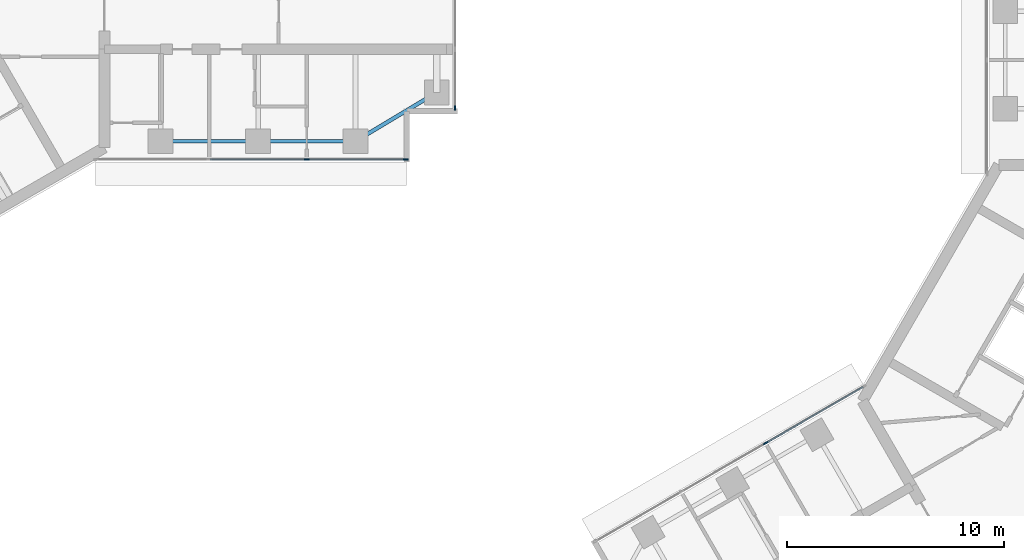
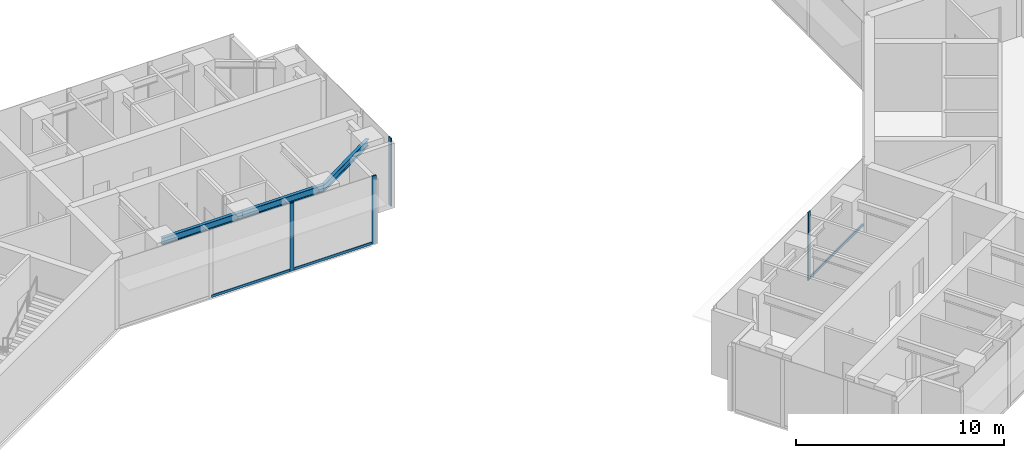
# One storey, part 4 of 17: 7 members, 3 beams, 3 elements without a shape of their own.
"""IFC4 building model written with IfcOpenShell, lengths in metres."""

import ifcopenshell
import ifcopenshell.guid

model = None  # the IFC model being written
_history = None  # IfcOwnerHistory: only IFC2X3 demands one
_inside = {}  # id of a spatial element -> (the spatial element, [elements in it])
_under = {}  # id of a project, library or spatial element -> (it, [spatial elements below it])
_declared = {}  # id of a project -> (the project, [libraries it declares])
_typed = {}  # id of a type object -> (the type object, [elements of that type])
_made_of = {}  # id of a material, layer set ... -> (it, [elements and type objects made of it])


def new_model(schema):
    """Start an empty IFC model of exactly this schema.

    Asked for "IFC4X3", IfcOpenShell would pick the latest addendum, in which some entities
    have other attributes; the version numbers below select the first issue.
    IFC2X3 requires an IfcOwnerHistory on every rooted entity: one is made here for all.
    """
    global model, _history
    if schema == "IFC4X3":
        model = ifcopenshell.file(schema_version=(4, 3, 0, 0))
    else:
        model = ifcopenshell.file(schema=schema)
    _inside.clear()
    _under.clear()
    _declared.clear()
    _typed.clear()
    _made_of.clear()
    _history = None
    if model.schema == "IFC2X3":
        org = make("IfcOrganization", Name="unknown")
        user = make(
            "IfcPersonAndOrganization",
            ThePerson=make("IfcPerson", FamilyName="unknown"),
            TheOrganization=org,
        )
        app = make(
            "IfcApplication",
            ApplicationDeveloper=org,
            Version="unknown",
            ApplicationFullName="unknown",
            ApplicationIdentifier="unknown",
        )
        _history = make(
            "IfcOwnerHistory",
            OwningUser=user,
            OwningApplication=app,
            ChangeAction="ADDED",
            CreationDate=0,
        )
    return model


def make(cls, **values):
    """One entity of the class cls with the attributes given. An attribute that is None is left unset."""
    return model.create_entity(
        cls, **{name: value for name, value in values.items() if value is not None}
    )


def rooted(cls, **values):
    """An entity with a GlobalId (a new one), such as an element, a storey or a relation."""
    return make(cls, GlobalId=ifcopenshell.guid.new(), OwnerHistory=_history, **values)


def si_unit(unit_type, name, prefix=None):
    """IfcSIUnit, for example si_unit("LENGTHUNIT", "METRE", prefix="MILLI")."""
    return make("IfcSIUnit", UnitType=unit_type, Prefix=prefix, Name=name)


def assignment(units):
    """IfcUnitAssignment: the units of a project."""
    return None if units is None else make("IfcUnitAssignment", Units=units)


def point(xyz):
    """IfcCartesianPoint."""
    return None if xyz is None else make("IfcCartesianPoint", Coordinates=xyz)


def direction(xyz):
    """IfcDirection."""
    return None if xyz is None else make("IfcDirection", DirectionRatios=xyz)


def frame(location, z_axis=None, x_axis=None):
    """IfcAxis2Placement3D, a coordinate frame: its origin and axes. An axis left out is left unset."""
    return make(
        "IfcAxis2Placement3D",
        Location=point(location),
        Axis=direction(z_axis),
        RefDirection=direction(x_axis),
    )


def frame_2d(location, x_axis=None):
    """IfcAxis2Placement2D, a coordinate frame in the plane: its origin and x axis."""
    return make(
        "IfcAxis2Placement2D", Location=point(location), RefDirection=direction(x_axis)
    )


def origin():
    """The frame at (0, 0, 0) with its axes left unset."""
    return frame((0.0, 0.0, 0.0))


def origin_2d():
    """The frame at (0, 0) in the plane with its x axis left unset."""
    return frame_2d((0.0, 0.0))


def place(relative_to, where):
    """IfcLocalPlacement: puts the frame where relative to a parent placement (None: the world)."""
    return make(
        "IfcLocalPlacement", PlacementRelTo=relative_to, RelativePlacement=where
    )


def context(
    kind, dimensions, precision=None, world=None, true_north=None, identifier=None
):
    """IfcGeometricRepresentationContext, for example the 3D "Model" context."""
    return make(
        "IfcGeometricRepresentationContext",
        ContextIdentifier=identifier,
        ContextType=kind,
        CoordinateSpaceDimension=dimensions,
        Precision=precision,
        WorldCoordinateSystem=world,
        TrueNorth=true_north,
    )


def subcontext(parent, identifier, kind, view, scale=None):
    """IfcGeometricRepresentationSubContext, for example "Body" below "Model"."""
    return make(
        "IfcGeometricRepresentationSubContext",
        ContextIdentifier=identifier,
        ContextType=kind,
        ParentContext=parent,
        TargetScale=scale,
        TargetView=view,
    )


def project(units=None, contexts=None):
    """IfcProject with its units and contexts."""
    return rooted(
        "IfcProject",
        Name="project",
        RepresentationContexts=contexts,
        UnitsInContext=assignment(units),
    )


def spatial(cls, under=None, at=None, **own):
    """A site, building, storey or space (cls), placed at a placement, below another one or the project."""
    s = rooted(cls, ObjectPlacement=at, **own)
    if under is not None:
        _under.setdefault(under.id(), (under, []))[1].append(s)
    return s


def profile(cls, at=None, kind="AREA", **sizes):
    """A parametric profile (cls). Its sizes go by their IFC names, for example OverallWidth=200.0."""
    return make(cls, ProfileType=kind, Position=at, **sizes)


def rectangle(**sizes):
    """IfcRectangleProfileDef."""
    return profile("IfcRectangleProfileDef", **sizes)


def i_section(**sizes):
    """IfcIShapeProfileDef."""
    return profile("IfcIShapeProfileDef", **sizes)


def extrude(swept, where, along, depth):
    """IfcExtrudedAreaSolid: the profile swept, set in the frame where, extruded along a direction by depth."""
    return make(
        "IfcExtrudedAreaSolid",
        SweptArea=swept,
        Position=where,
        ExtrudedDirection=direction(along),
        Depth=depth,
    )


def shape(context_of_items, identifier, shape_type, items):
    """IfcShapeRepresentation: the items that make up one representation, for example the "Body"."""
    return make(
        "IfcShapeRepresentation",
        ContextOfItems=context_of_items,
        RepresentationIdentifier=identifier,
        RepresentationType=shape_type,
        Items=items,
    )


def material(Name=None, Category=None):
    """IfcMaterial."""
    return make("IfcMaterial", Name=Name, Category=Category)


def material_profile(
    of_material, cross_section, Name=None, Category=None, Priority=None
):
    """IfcMaterialProfile: a cross section and its material."""
    return make(
        "IfcMaterialProfile",
        Name=Name,
        Material=of_material,
        Profile=cross_section,
        Priority=Priority,
        Category=Category,
    )


def profile_set(profiles, Name=None, composite=None):
    """IfcMaterialProfileSet."""
    return make(
        "IfcMaterialProfileSet",
        Name=Name,
        MaterialProfiles=profiles,
        CompositeProfile=composite,
    )


def made_of(thing, what):
    """Note that an element or type object is made of a material, layer set ...; save() writes the relation."""
    if what is not None:
        _made_of.setdefault(what.id(), (what, []))[1].append(thing)
    return thing


def type_object(cls, material=None, **own):
    """A type object (cls), such as IfcWallType, which elements share."""
    return made_of(rooted(cls, **own), material)


def element(
    cls,
    number,
    at=None,
    inside=None,
    cuts=None,
    type_object=None,
    material=None,
    context=None,
    identifier="Body",
    shape_type=None,
    held_by="IfcProductDefinitionShape",
    body=None,
    shapes=None,
    **own,
):
    """One element of the class cls, such as IfcWall. Its Tag is "e" and its number.

    at: its placement. inside: the storey or other place that contains it. cuts: it is an
    opening in that element (IfcRelVoidsElement). A single representation is given by context,
    identifier, shape_type and body (its items); several are given by shapes. held_by: the class
    of the entity that holds the representations. save() writes the other relations.
    """
    e = rooted(cls, Tag="e%d" % number, ObjectPlacement=at, **own)
    if body is not None:
        shapes = [shape(context, identifier, shape_type, body)]
    if shapes is not None:
        e.Representation = make(held_by, Representations=shapes)
    if inside is not None:
        _inside.setdefault(inside.id(), (inside, []))[1].append(e)
    if cuts is not None:
        rooted(
            "IfcRelVoidsElement", RelatingBuildingElement=cuts, RelatedOpeningElement=e
        )
    if type_object is not None:
        _typed.setdefault(type_object.id(), (type_object, []))[1].append(e)
    return made_of(e, material)


def aggregate(whole, parts):
    """IfcRelAggregates: a whole, such as a stair, and the parts it consists of."""
    return rooted("IfcRelAggregates", RelatingObject=whole, RelatedObjects=parts)


def save(model, path):
    """Write the relations noted so far, then the file.

    IfcRelAggregates (storeys below a building ...), IfcRelContainedInSpatialStructure (elements
    in a storey), IfcRelDefinesByType, IfcRelAssociatesMaterial and IfcRelDeclares: one each for
    every whole, place, type object, material and project.
    """
    for whole, parts in _under.values():
        aggregate(whole, parts)
    for where, things in _inside.values():
        rooted(
            "IfcRelContainedInSpatialStructure",
            RelatedElements=things,
            RelatingStructure=where,
        )
    for kind, things in _typed.values():
        rooted("IfcRelDefinesByType", RelatedObjects=things, RelatingType=kind)
    for what, things in _made_of.values():
        rooted("IfcRelAssociatesMaterial", RelatedObjects=things, RelatingMaterial=what)
    for by, libraries in _declared.values():
        rooted("IfcRelDeclares", RelatingContext=by, RelatedDefinitions=libraries)
    model.write(path)


model = new_model("IFC4")

# Units and contexts
model_context = context("Model", 3, precision=1e-05, world=origin(), true_north=direction((0.0, 1.0)))
body_context = subcontext(model_context, "Body", "Model", "MODEL_VIEW")
ifc_project = project(units=[si_unit("LENGTHUNIT", "METRE"), si_unit("AREAUNIT", "SQUARE_METRE"), si_unit("VOLUMEUNIT", "CUBIC_METRE"), si_unit("PLANEANGLEUNIT", "RADIAN"), si_unit("MASSUNIT", "GRAM", prefix="KILO")], contexts=[model_context])

# Site, building, storey
site_placement = place(None, origin())
site = spatial("IfcSite", under=ifc_project, at=site_placement, CompositionType="ELEMENT")
building_placement = place(site_placement, origin())
building = spatial("IfcBuilding", under=site, at=building_placement, Name="Upepo Twin Towers", CompositionType="ELEMENT")
storey_placement = place(building_placement, frame((0.0, 0.0, 210.5)))
storey = spatial("IfcBuildingStorey", under=building, at=storey_placement, Name="L51", CompositionType="ELEMENT", Elevation=210.5)

# Beams
ifc_material_1 = material(Name="Steel S355", Category="steel")
ifc_material_profile_1 = material_profile(ifc_material_1, i_section(OverallWidth=0.177978515625, OverallDepth=0.406494140625, WebThickness=0.0078125, FlangeThickness=0.0126953125, FilletRadius=0.01025390625, at=origin_2d()), Name="UB 406x178x60")
ifc_profile_set_1 = profile_set([ifc_material_profile_1], Name="Steel S355")
beam_type = type_object("IfcBeamType", Name="Beam UB 406x178x60", PredefinedType="BEAM", material=ifc_profile_set_1)
for number, where, z_axis, x_axis, name in (
    (1, (13.5, -6.0, 3.5966796875), (1.0, 0.0, 0.0), (0.0, 1.0, 0.0), "T1 edge beam AR 13.5-18.0"),
    (2, (18.0, -6.0, 3.5966796875), (1.0, 0.0, 0.0), (0.0, 1.0, 0.0), "T1 edge beam AR 18.0-22.5"),
):
    element("IfcBeam", number, at=place(storey_placement, frame(where, z_axis=z_axis, x_axis=x_axis)), inside=storey, type_object=beam_type, Name=name, PredefinedType="BEAM", context=body_context, shape_type="SweptSolid", body=[
        extrude(i_section(OverallWidth=0.177978515625, OverallDepth=0.406494140625, WebThickness=0.0078125, FlangeThickness=0.0126953125, FilletRadius=0.01025390625, at=origin_2d()), origin(), (0.0, 0.0, 1.0), 4.5),
    ])
beam_placement = place(storey_placement, frame((22.5, -6.0, 3.5966796875), z_axis=(0.857492925713, 0.514495755428, 0.0), x_axis=(-0.514495755428, 0.857492925713, 0.0)))
element("IfcBeam", 3, at=beam_placement, inside=storey, type_object=beam_type, Name="T1 nose edge beam AR", PredefinedType="BEAM", context=body_context, shape_type="SweptSolid", body=[
    extrude(i_section(OverallWidth=0.177978515625, OverallDepth=0.406494140625, WebThickness=0.0078125, FlangeThickness=0.0126953125, FilletRadius=0.01025390625, at=origin_2d()), origin(), (0.0, 0.0, 1.0), 4.373291015625),
])

# Curtain wall, members
ifc_material_2 = material(Name="Aluminium and fritted glass", Category="aluminium")
curtain_wall_type = type_object("IfcCurtainWallType", Name="Tower curtain wall TW3, fritted glass", PredefinedType="NOTDEFINED", material=ifc_material_2)
curtain_wall_1_placement = place(storey_placement, origin())
curtain_wall_1 = element("IfcCurtainWall", 4, at=curtain_wall_1_placement, inside=storey, type_object=curtain_wall_type, Name="T1 L51 wing A flank R curtain wall", PredefinedType="NOTDEFINED")
ifc_material_3 = material(Name="Aluminium mullion", Category="aluminium")
ifc_material_profile_2 = material_profile(ifc_material_3, rectangle(XDim=0.06494140625, YDim=0.22509765625, at=origin_2d()), Name="MULLION 65x225")
ifc_profile_set_2 = profile_set([ifc_material_profile_2], Name="Aluminium mullion")
member_type_1 = type_object("IfcMemberType", Name="Mullion 65x225 TW3", PredefinedType="MULLION", material=ifc_profile_set_2)
member_1_placement = place(storey_placement, frame((24.8173828125, -6.85009765625, 0.0), z_axis=(0.0, 0.0, 1.0), x_axis=(0.0, -1.0, 0.0)))
member_1 = element("IfcMember", 5, at=member_1_placement, type_object=member_type_1, Name="T1 L51 wing A flank R curtain wall mullion 1", PredefinedType="MULLION", context=body_context, shape_type="SweptSolid", body=[
    extrude(rectangle(XDim=0.06494140625, YDim=0.22509765625, at=origin_2d()), origin(), (0.0, 0.0, 1.0), 4.0),
])
member_2_placement = place(storey_placement, frame((20.25, -6.85009765625, 0.0), z_axis=(0.0, 0.0, 1.0), x_axis=(0.0, -1.0, 0.0)))
member_2 = element("IfcMember", 6, at=member_2_placement, type_object=member_type_1, Name="T1 L51 wing A flank R curtain wall mullion 2", PredefinedType="MULLION", context=body_context, shape_type="SweptSolid", body=[
    extrude(rectangle(XDim=0.06494140625, YDim=0.22509765625, at=origin_2d()), origin(), (0.0, 0.0, 1.0), 4.0),
])

# Curtain wall, member
curtain_wall_2_placement = place(storey_placement, origin())
curtain_wall_2 = element("IfcCurtainWall", 7, at=curtain_wall_2_placement, inside=storey, type_object=curtain_wall_type, Name="T1 L51 wing A nose curtain wall", PredefinedType="NOTDEFINED")
member_3_placement = place(storey_placement, frame((27.10009765625, -4.467529296875, 0.0), z_axis=(0.0, 0.0, 1.0), x_axis=(-1.0, 0.0, 0.0)))
member_3 = element("IfcMember", 8, at=member_3_placement, type_object=member_type_1, Name="T1 L51 wing A nose curtain wall mullion 1", PredefinedType="MULLION", context=body_context, shape_type="SweptSolid", body=[
    extrude(rectangle(XDim=0.06494140625, YDim=0.22509765625, at=origin_2d()), origin(), (0.0, 0.0, 1.0), 4.0),
])
aggregate(curtain_wall_2, [member_3])

curtain_wall_3_placement = place(storey_placement, origin())
curtain_wall_3 = element("IfcCurtainWall", 9, at=curtain_wall_3_placement, inside=storey, type_object=curtain_wall_type, Name="T2 L51 wing B flank R curtain wall", PredefinedType="NOTDEFINED")
member_4_placement = place(storey_placement, frame((41.43505859375, -19.942626953125, 0.0), z_axis=(0.0, 0.0, 1.0), x_axis=(-0.500000026527, 0.866025388469, 0.0)))
member_4 = element("IfcMember", 10, at=member_4_placement, type_object=member_type_1, Name="T2 L51 wing B flank R curtain wall mullion 3", PredefinedType="MULLION", context=body_context, shape_type="SweptSolid", body=[
    extrude(rectangle(XDim=0.06494140625, YDim=0.22509765625, at=origin_2d()), origin(), (0.0, 0.0, 1.0), 4.0),
])

# Member
ifc_material_4 = material(Name="Aluminium transom", Category="aluminium")
ifc_material_profile_3 = material_profile(ifc_material_4, rectangle(XDim=0.06494140625, YDim=0.14990234375, at=origin_2d()), Name="TRANSOM 65x150")
ifc_profile_set_3 = profile_set([ifc_material_profile_3], Name="Aluminium transom")
member_type_2 = type_object("IfcMemberType", Name="Transom 65x150 TW3", PredefinedType="USERDEFINED", material=ifc_profile_set_3)
member_5_placement = place(storey_placement, frame((24.784912109375, -6.85009765625, 0.074951171875), z_axis=(-1.0, 0.0, 0.0), x_axis=(0.0, -1.0, 0.0)))
member_5 = element("IfcMember", 11, at=member_5_placement, type_object=member_type_2, Name="T1 L51 wing A flank R curtain wall transom 1", ObjectType="TRANSOM", PredefinedType="USERDEFINED", context=body_context, shape_type="SweptSolid", body=[
    extrude(rectangle(XDim=0.06494140625, YDim=0.14990234375, at=origin_2d()), origin(), (0.0, 0.0, 1.0), 4.50244140625),
])

member_6_placement = place(storey_placement, frame((20.217529296875, -6.85009765625, 0.074951171875), z_axis=(-1.0, 0.0, 0.0), x_axis=(0.0, -1.0, 0.0)))
member_6 = element("IfcMember", 12, at=member_6_placement, type_object=member_type_2, Name="T1 L51 wing A flank R curtain wall transom 2", ObjectType="TRANSOM", PredefinedType="USERDEFINED", context=body_context, shape_type="SweptSolid", body=[
    extrude(rectangle(XDim=0.06494140625, YDim=0.14990234375, at=origin_2d()), origin(), (0.0, 0.0, 1.0), 4.43505859375),
])

aggregate(curtain_wall_1, [member_1, member_2, member_5, member_6])

member_7_placement = place(storey_placement, frame((41.463134765625, -19.926513671875, 0.074951171875), z_axis=(0.86602108507, 0.500007480159, 0.0), x_axis=(-0.500007480159, 0.86602108507, 0.0)))
member_7 = element("IfcMember", 13, at=member_7_placement, type_object=member_type_2, Name="T2 L51 wing B flank R curtain wall transom 3", ObjectType="TRANSOM", PredefinedType="USERDEFINED", context=body_context, shape_type="SweptSolid", body=[
    extrude(rectangle(XDim=0.06494140625, YDim=0.14990234375, at=origin_2d()), origin(), (0.0, 0.0, 1.0), 5.16552734375),
])

aggregate(curtain_wall_3, [member_4, member_7])

save(model, "model.ifc")
